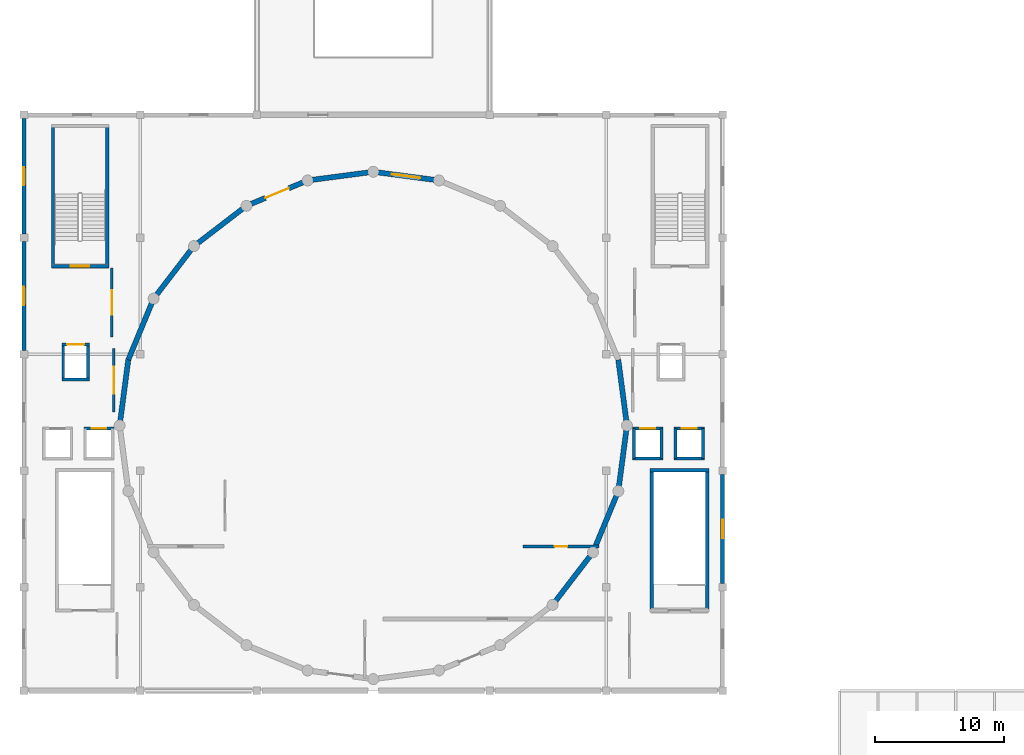
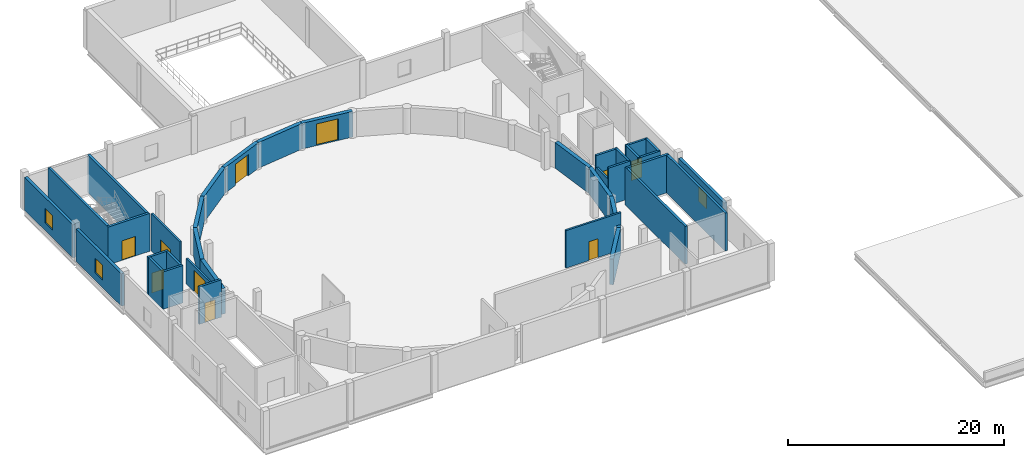
# One storey, part 5 of 10: 36 walls, 10 doors, 3 windows, 13 openings.
"""IFC4 building model written with IfcOpenShell, lengths in metres."""

from ifc_helpers import new_model, si_unit, direction, frame, frame_2d, origin, place, context, subcontext, project, spatial, rectangle, extrude, material, layer, layer_set, type_object, element, fill, save


model = new_model("IFC4")

# Units and contexts
model_context = context("Model", 3, precision=1e-05, world=origin(), true_north=direction((0.0, 1.0)))
body_context = subcontext(model_context, "Body", "Model", "MODEL_VIEW")
ifc_project = project(units=[si_unit("LENGTHUNIT", "METRE"), si_unit("AREAUNIT", "SQUARE_METRE"), si_unit("VOLUMEUNIT", "CUBIC_METRE"), si_unit("PLANEANGLEUNIT", "RADIAN"), si_unit("MASSUNIT", "GRAM", prefix="KILO")], contexts=[model_context])

# Site, building, storey
site_placement = place(None, origin())
site = spatial("IfcSite", under=ifc_project, at=site_placement, CompositionType="ELEMENT")
building_placement = place(site_placement, origin())
building = spatial("IfcBuilding", under=site, at=building_placement, Name="Marnock Terrace Opera House", CompositionType="ELEMENT")
storey_placement = place(building_placement, frame((0.0, 0.0, 23.699951171875)))
storey = spatial("IfcBuildingStorey", under=building, at=storey_placement, Name="L05", CompositionType="ELEMENT", Elevation=23.699951171875)

# Wall, opening, window
ifc_material_1 = material(Name="Basket Range sandstone ashlar masonry", Category="masonry")
ifc_layer_1 = layer(ifc_material_1, 0.31005859375)
ifc_layer_set_1 = layer_set([ifc_layer_1], Name="Basket Range sandstone ashlar masonry")
wall_type_1 = type_object("IfcWallType", Name="EW-ATTIC-310", PredefinedType="SOLIDWALL", material=ifc_layer_set_1)
wall_1_placement = place(storey_placement, frame((109.0, 48.2958984375, 0.0), z_axis=(0.0, 0.0, 1.0), x_axis=(0.0, 1.0, 0.0)))
wall_1 = element("IfcWall", 1, at=wall_1_placement, inside=storey, type_object=wall_type_1, Name="L05 Drum block E wall", PredefinedType="SOLIDWALL", context=body_context, shape_type="SweptSolid", body=[
    extrude(rectangle(XDim=8.408203125, YDim=0.31005859375, at=frame_2d((4.2041015625, 0.0))), origin(), (0.0, 0.0, 1.0), 3.64794921875),
])
opening_1_placement = place(wall_1_placement, frame((3.50390625, 0.0, 0.85009765625)))
opening_1 = element("IfcOpeningElement", 2, at=opening_1_placement, cuts=wall_1, Name="Opening WT-138", PredefinedType="OPENING", context=body_context, shape_type="SweptSolid", body=[
    extrude(rectangle(XDim=1.39990234375, YDim=1.64990234375, at=frame_2d((0.699951171875, 0.824951171875))), frame((0.0, 0.1650390625, 0.0), z_axis=(0.0, -1.0, 0.0), x_axis=(1.0, 0.0, 0.0)), (0.0, 0.0, 1.0), 0.330078125),
])
ifc_material_2 = material(Name="Double-glazed acoustic low-E laminated glass", Category="glass")
window_type = type_object("IfcWindowType", Name="WT-ATTIC-1400", PartitioningType="SINGLE_PANEL", PredefinedType="WINDOW", material=ifc_material_2)
window_1_placement = place(opening_1_placement, origin())
window_1 = element("IfcWindow", 3, at=window_1_placement, inside=storey, type_object=window_type, Name="L05 facade window EW-V1E-L05-48.1", OverallHeight=1.64990234375, OverallWidth=1.39990234375, PartitioningType="SINGLE_PANEL", PredefinedType="WINDOW", context=body_context, shape_type="SweptSolid", body=[
    extrude(rectangle(XDim=1.39990234375, YDim=1.64990234375, at=frame_2d((0.699951171875, 0.824951171875))), frame((0.0, 0.030029296875, 0.0), z_axis=(0.0, -1.0, 0.0), x_axis=(1.0, 0.0, 0.0)), (0.0, 0.0, 1.0), 0.06005859375),
])
fill(opening_1, window_1)

wall_2_placement = place(storey_placement, frame((55.0, 66.2958984375, 0.0), z_axis=(0.0, 0.0, 1.0), x_axis=(0.0, 1.0, 0.0)))
wall_2 = element("IfcWall", 4, at=wall_2_placement, inside=storey, type_object=wall_type_1, Name="L05 Drum block W wall", PredefinedType="SOLIDWALL", context=body_context, shape_type="SweptSolid", body=[
    extrude(rectangle(XDim=8.408203125, YDim=0.31005859375, at=frame_2d((4.2041015625, 0.0))), origin(), (0.0, 0.0, 1.0), 3.64794921875),
])
opening_2_placement = place(wall_2_placement, frame((3.50390625, 0.0, 0.85009765625)))
opening_2 = element("IfcOpeningElement", 5, at=opening_2_placement, cuts=wall_2, Name="Opening WT-138", PredefinedType="OPENING", context=body_context, shape_type="SweptSolid", body=[
    extrude(rectangle(XDim=1.39990234375, YDim=1.64990234375, at=frame_2d((0.699951171875, 0.824951171875))), frame((0.0, 0.1650390625, 0.0), z_axis=(0.0, -1.0, 0.0), x_axis=(1.0, 0.0, 0.0)), (0.0, 0.0, 1.0), 0.330078125),
])
window_2_placement = place(opening_2_placement, origin())
window_2 = element("IfcWindow", 6, at=window_2_placement, inside=storey, type_object=window_type, Name="L05 facade window EW-V1W-L05-66.1", OverallHeight=1.64990234375, OverallWidth=1.39990234375, PartitioningType="SINGLE_PANEL", PredefinedType="WINDOW", context=body_context, shape_type="SweptSolid", body=[
    extrude(rectangle(XDim=1.39990234375, YDim=1.64990234375, at=frame_2d((0.699951171875, 0.824951171875))), frame((0.0, 0.030029296875, 0.0), z_axis=(0.0, -1.0, 0.0), x_axis=(1.0, 0.0, 0.0)), (0.0, 0.0, 1.0), 0.06005859375),
])
fill(opening_2, window_2)

wall_3_placement = place(storey_placement, frame((55.0, 75.2958984375, 0.0), z_axis=(0.0, 0.0, 1.0), x_axis=(0.0, 1.0, 0.0)))
wall_3 = element("IfcWall", 7, at=wall_3_placement, inside=storey, type_object=wall_type_1, Name="L05 Drum block W wall", PredefinedType="SOLIDWALL", context=body_context, shape_type="SweptSolid", body=[
    extrude(rectangle(XDim=8.908203125, YDim=0.31005859375, at=frame_2d((4.4541015625, 0.0))), origin(), (0.0, 0.0, 1.0), 3.72216796875),
])
opening_3_placement = place(wall_3_placement, frame((3.75390625, 0.0, 0.85009765625)))
opening_3 = element("IfcOpeningElement", 8, at=opening_3_placement, cuts=wall_3, Name="Opening WT-138", PredefinedType="OPENING", context=body_context, shape_type="SweptSolid", body=[
    extrude(rectangle(XDim=1.39990234375, YDim=1.64990234375, at=frame_2d((0.699951171875, 0.824951171875))), frame((0.0, 0.1650390625, 0.0), z_axis=(0.0, -1.0, 0.0), x_axis=(1.0, 0.0, 0.0)), (0.0, 0.0, 1.0), 0.330078125),
])
window_3_placement = place(opening_3_placement, origin())
window_3 = element("IfcWindow", 9, at=window_3_placement, inside=storey, type_object=window_type, Name="L05 facade window EW-V1W-L05-75.1", OverallHeight=1.64990234375, OverallWidth=1.39990234375, PartitioningType="SINGLE_PANEL", PredefinedType="WINDOW", context=body_context, shape_type="SweptSolid", body=[
    extrude(rectangle(XDim=1.39990234375, YDim=1.64990234375, at=frame_2d((0.699951171875, 0.824951171875))), frame((0.0, 0.030029296875, 0.0), z_axis=(0.0, -1.0, 0.0), x_axis=(1.0, 0.0, 0.0)), (0.0, 0.0, 1.0), 0.06005859375),
])
fill(opening_3, window_3)

# Wall, opening, door
ifc_material_3 = material(Name="Rendered acoustic concrete blockwork", Category="masonry")
ifc_layer_2 = layer(ifc_material_3, 0.175048828125)
ifc_layer_set_2 = layer_set([ifc_layer_2], Name="Rendered acoustic concrete blockwork")
wall_type_2 = type_object("IfcWallType", Name="IW-FIRE-175", PredefinedType="PARTITIONING", material=ifc_layer_set_2)
wall_4_placement = place(storey_placement, frame((61.949951171875, 61.550048828125, 0.0), z_axis=(0.0, 0.0, 1.0), x_axis=(0.0, 1.0, 0.0)))
wall_4 = element("IfcWall", 10, at=wall_4_placement, inside=storey, type_object=wall_type_2, Name="L05 Drum Perimeter Acoustic Reverberation Chamber West acoustic partition wall", PredefinedType="PARTITIONING", context=body_context, shape_type="SweptSolid", body=[
    extrude(rectangle(XDim=4.89990234375, YDim=0.175048828125, at=frame_2d((2.449951171875, 0.0))), origin(), (0.0, 0.0, 1.0), 2.8701171875),
])
opening_4_placement = place(wall_4_placement, frame((1.39990234375, 0.0, 0.0)))
opening_4 = element("IfcOpeningElement", 11, at=opening_4_placement, cuts=wall_4, Name="Opening D-L05-03", PredefinedType="OPENING", context=body_context, shape_type="SweptSolid", body=[
    extrude(rectangle(XDim=2.10009765625, YDim=2.419921875, at=frame_2d((1.050048828125, 1.2099609375))), frame((0.0, 0.097412109375, 0.0), z_axis=(0.0, -1.0, 0.0), x_axis=(1.0, 0.0, 0.0)), (0.0, 0.0, 1.0), 0.195068359375),
])
ifc_material_4 = material(Name="Solid-core Tasmanian oak acoustic door leaf")
door_type_1 = type_object("IfcDoorType", Name="DT-REHEARS-2100", OperationType="NOTDEFINED", PredefinedType="DOOR", material=ifc_material_4)
door_1_placement = place(opening_4_placement, origin())
door_1 = element("IfcDoor", 12, at=door_1_placement, inside=storey, type_object=door_type_1, Name="L05 Drum Perimeter Acoustic Reverberation Chamber West entrance door", OperationType="DOUBLE_DOOR_SINGLE_SWING", OverallHeight=2.419921875, OverallWidth=2.10009765625, PredefinedType="DOOR", context=body_context, shape_type="SweptSolid", body=[
    extrude(rectangle(XDim=2.10009765625, YDim=2.419921875, at=frame_2d((1.050048828125, 1.2099609375))), frame((0.0, 0.02490234375, 0.0), z_axis=(0.0, -1.0, 0.0), x_axis=(1.0, 0.0, 0.0)), (0.0, 0.0, 1.0), 0.050048828125),
])
fill(opening_4, door_1)

ifc_layer_3 = layer(ifc_material_3, 0.195068359375)
ifc_layer_set_3 = layer_set([ifc_layer_3], Name="Rendered acoustic concrete blockwork")
wall_type_3 = type_object("IfcWallType", Name="IW-FIRE-195", PredefinedType="PARTITIONING", material=ifc_layer_set_3)
wall_5_placement = place(storey_placement, frame((61.800048828125, 67.35009765625, 0.0), z_axis=(0.0, 0.0, 1.0), x_axis=(0.0, 1.0, 0.0)))
wall_5 = element("IfcWall", 13, at=wall_5_placement, inside=storey, type_object=wall_type_3, Name="L05 C3 fire-rated lift and stair lobby wall", PredefinedType="PARTITIONING", context=body_context, shape_type="SweptSolid", body=[
    extrude(rectangle(XDim=5.2998046875, YDim=0.195068359375, at=frame_2d((2.64990234375, 0.0))), origin(), (0.0, 0.0, 1.0), 4.22998046875),
])
opening_5_placement = place(wall_5_placement, frame((1.699951171875, 0.0, 0.0)))
opening_5 = element("IfcOpeningElement", 14, at=opening_5_placement, cuts=wall_5, Name="Opening FD-C3-L05", PredefinedType="OPENING", context=body_context, shape_type="SweptSolid", body=[
    extrude(rectangle(XDim=1.89990234375, YDim=2.300048828125, at=frame_2d((0.949951171875, 1.14990234375))), frame((0.0, 0.107421875, 0.0), z_axis=(0.0, -1.0, 0.0), x_axis=(1.0, 0.0, 0.0)), (0.0, 0.0, 1.0), 0.215087890625),
])
ifc_material_5 = material(Name="Fire-rated acoustic timber-core door assembly", Category="wood")
door_type_2 = type_object("IfcDoorType", Name="DT-LOBBY-1900", OperationType="NOTDEFINED", PredefinedType="DOOR", material=ifc_material_5)
door_2_placement = place(opening_5_placement, origin())
door_2 = element("IfcDoor", 15, at=door_2_placement, inside=storey, type_object=door_type_2, Name="L05 C3 lobby self-closing smoke door", OperationType="SINGLE_SWING_RIGHT", OverallHeight=2.300048828125, OverallWidth=1.89990234375, PredefinedType="DOOR", context=body_context, shape_type="SweptSolid", body=[
    extrude(rectangle(XDim=1.89990234375, YDim=2.300048828125, at=frame_2d((0.949951171875, 1.14990234375))), frame((0.0, 0.02490234375, 0.0), z_axis=(0.0, -1.0, 0.0), x_axis=(1.0, 0.0, 0.0)), (0.0, 0.0, 1.0), 0.050048828125),
])
fill(opening_5, door_2)

ifc_material_6 = material(Name="Moisture-resistant tiled service duct framing")
ifc_layer_4 = layer(ifc_material_6, 0.205078125)
ifc_layer_set_4 = layer_set([ifc_layer_4], Name="Moisture-resistant tiled service duct framing")
wall_type_4 = type_object("IfcWallType", Name="IW-PLUMB-205", PredefinedType="PLUMBINGWALL", material=ifc_layer_set_4)
wall_6_placement = place(storey_placement, frame((93.550048828125, 51.14990234375, 0.0), z_axis=(0.0, 0.0, 1.0), x_axis=(1.0, 0.0, 0.0)))
wall_6 = element("IfcWall", 16, at=wall_6_placement, inside=storey, type_object=wall_type_4, Name="L05 Staff WC L05 Drum acoustic partition wall", PredefinedType="PLUMBINGWALL", context=body_context, shape_type="SweptSolid", body=[
    extrude(rectangle(XDim=5.89990234375, YDim=0.205078125, at=frame_2d((2.949951171875, 0.0))), origin(), (0.0, 0.0, 1.0), 4.22998046875),
])
opening_6_placement = place(wall_6_placement, frame((2.4599609375, 0.0, 0.0)))
opening_6 = element("IfcOpeningElement", 17, at=opening_6_placement, cuts=wall_6, Name="Opening D-L05-10", PredefinedType="OPENING", context=body_context, shape_type="SweptSolid", body=[
    extrude(rectangle(XDim=0.97998046875, YDim=2.139892578125, at=frame_2d((0.489990234375, 1.06982421875))), frame((0.0, 0.112548828125, 0.0), z_axis=(0.0, -1.0, 0.0), x_axis=(1.0, 0.0, 0.0)), (0.0, 0.0, 1.0), 0.22509765625),
])
door_type_3 = type_object("IfcDoorType", Name="DT-WC-980", OperationType="NOTDEFINED", PredefinedType="DOOR", material=ifc_material_4)
door_3_placement = place(opening_6_placement, origin())
door_3 = element("IfcDoor", 18, at=door_3_placement, inside=storey, type_object=door_type_3, Name="L05 Staff WC L05 Drum entrance door", OperationType="SINGLE_SWING_LEFT", OverallHeight=2.139892578125, OverallWidth=0.97998046875, PredefinedType="DOOR", context=body_context, shape_type="SweptSolid", body=[
    extrude(rectangle(XDim=0.97998046875, YDim=2.139892578125, at=frame_2d((0.489990234375, 1.06982421875))), frame((0.0, 0.02490234375, 0.0), z_axis=(0.0, -1.0, 0.0), x_axis=(1.0, 0.0, 0.0)), (0.0, 0.0, 1.0), 0.050048828125),
])
fill(opening_6, door_3)

ifc_layer_5 = layer(ifc_material_3, 0.22509765625)
ifc_layer_set_5 = layer_set([ifc_layer_5], Name="Rendered acoustic concrete blockwork")
wall_type_5 = type_object("IfcWallType", Name="IW-SHAFT-225", PredefinedType="SOLIDWALL", material=ifc_layer_set_5)
wall_7_placement = place(storey_placement, frame((59.62744140625, 60.260009765625, 0.0), z_axis=(0.0, 0.0, 1.0), x_axis=(1.0, 0.0, 0.0)))
wall_7 = element("IfcWall", 19, at=wall_7_placement, inside=storey, type_object=wall_type_5, Name="L05 Lift PL-02 front shaft wall", PredefinedType="SOLIDWALL", context=body_context, shape_type="SweptSolid", body=[
    extrude(rectangle(XDim=2.344970703125, YDim=0.22509765625, at=frame_2d((1.17236328125, 0.0))), origin(), (0.0, 0.0, 1.0), 4.22998046875),
])
opening_7_placement = place(wall_7_placement, frame((0.597412109375, 0.0, 0.0)))
opening_7 = element("IfcOpeningElement", 20, at=opening_7_placement, cuts=wall_7, Name="Opening LD-PL-02-L05", PredefinedType="OPENING", context=body_context, shape_type="SweptSolid", body=[
    extrude(rectangle(XDim=1.14990234375, YDim=2.199951171875, at=frame_2d((0.574951171875, 1.10009765625))), frame((0.0, 0.12255859375, 0.0), z_axis=(0.0, -1.0, 0.0), x_axis=(1.0, 0.0, 0.0)), (0.0, 0.0, 1.0), 0.2451171875),
])
ifc_material_7 = material(Name="Brushed stainless steel landing door assembly", Category="steel")
door_type_4 = type_object("IfcDoorType", Name="DT-LIFT-1150", OperationType="NOTDEFINED", PredefinedType="DOOR", material=ifc_material_7)
door_4_placement = place(opening_7_placement, origin())
door_4 = element("IfcDoor", 21, at=door_4_placement, inside=storey, type_object=door_type_4, Name="L05 Lift PL-02 sliding landing door", OperationType="DOUBLE_DOOR_SLIDING", OverallHeight=2.199951171875, OverallWidth=1.14990234375, PredefinedType="DOOR", context=body_context, shape_type="SweptSolid", body=[
    extrude(rectangle(XDim=1.14990234375, YDim=2.199951171875, at=frame_2d((0.574951171875, 1.10009765625))), frame((0.0, 0.02490234375, 0.0), z_axis=(0.0, -1.0, 0.0), x_axis=(1.0, 0.0, 0.0)), (0.0, 0.0, 1.0), 0.050048828125),
])
fill(opening_7, door_4)

wall_8_placement = place(storey_placement, frame((102.027587890625, 60.260009765625, 0.0), z_axis=(0.0, 0.0, 1.0), x_axis=(1.0, 0.0, 0.0)))
wall_8 = element("IfcWall", 22, at=wall_8_placement, inside=storey, type_object=wall_type_5, Name="L05 Lift PL-03 front shaft wall", PredefinedType="SOLIDWALL", context=body_context, shape_type="SweptSolid", body=[
    extrude(rectangle(XDim=2.344970703125, YDim=0.22509765625, at=frame_2d((1.17236328125, 0.0))), origin(), (0.0, 0.0, 1.0), 4.22998046875),
])
opening_8_placement = place(wall_8_placement, frame((0.597412109375, 0.0, 0.0)))
opening_8 = element("IfcOpeningElement", 23, at=opening_8_placement, cuts=wall_8, Name="Opening LD-PL-03-L05", PredefinedType="OPENING", context=body_context, shape_type="SweptSolid", body=[
    extrude(rectangle(XDim=1.14990234375, YDim=2.199951171875, at=frame_2d((0.574951171875, 1.10009765625))), frame((0.0, 0.12255859375, 0.0), z_axis=(0.0, -1.0, 0.0), x_axis=(1.0, 0.0, 0.0)), (0.0, 0.0, 1.0), 0.2451171875),
])
door_5_placement = place(opening_8_placement, origin())
door_5 = element("IfcDoor", 24, at=door_5_placement, inside=storey, type_object=door_type_4, Name="L05 Lift PL-03 sliding landing door", OperationType="DOUBLE_DOOR_SLIDING", OverallHeight=2.199951171875, OverallWidth=1.14990234375, PredefinedType="DOOR", context=body_context, shape_type="SweptSolid", body=[
    extrude(rectangle(XDim=1.14990234375, YDim=2.199951171875, at=frame_2d((0.574951171875, 1.10009765625))), frame((0.0, 0.02490234375, 0.0), z_axis=(0.0, -1.0, 0.0), x_axis=(1.0, 0.0, 0.0)), (0.0, 0.0, 1.0), 0.050048828125),
])
fill(opening_8, door_5)

# Walls
wall_9_placement = place(storey_placement, frame((102.027587890625, 57.93994140625, 0.0), z_axis=(0.0, 0.0, 1.0), x_axis=(1.0, 0.0, 0.0)))
element("IfcWall", 25, at=wall_9_placement, inside=storey, type_object=wall_type_5, Name="L05 Lift PL-03 rear shaft wall", PredefinedType="SOLIDWALL", context=body_context, shape_type="SweptSolid", body=[
    extrude(rectangle(XDim=2.344970703125, YDim=0.22509765625, at=frame_2d((1.17236328125, 0.0))), origin(), (0.0, 0.0, 1.0), 4.22998046875),
])
wall_10_placement = place(storey_placement, frame((102.139892578125, 57.93994140625, 0.0), z_axis=(0.0, 0.0, 1.0), x_axis=(0.0, 1.0, 0.0)))
element("IfcWall", 26, at=wall_10_placement, inside=storey, type_object=wall_type_5, Name="L05 Lift PL-03 west shaft wall", PredefinedType="SOLIDWALL", context=body_context, shape_type="SweptSolid", body=[
    extrude(rectangle(XDim=2.320068359375, YDim=0.22509765625, at=frame_2d((1.16015625, 0.0))), origin(), (0.0, 0.0, 1.0), 2.8701171875),
])
wall_11_placement = place(storey_placement, frame((104.260009765625, 57.93994140625, 0.0), z_axis=(0.0, 0.0, 1.0), x_axis=(0.0, 1.0, 0.0)))
element("IfcWall", 27, at=wall_11_placement, inside=storey, type_object=wall_type_5, Name="L05 Lift PL-03 east shaft wall", PredefinedType="SOLIDWALL", context=body_context, shape_type="SweptSolid", body=[
    extrude(rectangle(XDim=2.320068359375, YDim=0.22509765625, at=frame_2d((1.16015625, 0.0))), origin(), (0.0, 0.0, 1.0), 4.22998046875),
])

# Wall, opening, door
wall_12_placement = place(storey_placement, frame((105.2275390625, 60.260009765625, 0.0), z_axis=(0.0, 0.0, 1.0), x_axis=(1.0, 0.0, 0.0)))
wall_12 = element("IfcWall", 28, at=wall_12_placement, inside=storey, type_object=wall_type_5, Name="L05 Lift PL-04 front shaft wall", PredefinedType="SOLIDWALL", context=body_context, shape_type="SweptSolid", body=[
    extrude(rectangle(XDim=2.344970703125, YDim=0.22509765625, at=frame_2d((1.17236328125, 0.0))), origin(), (0.0, 0.0, 1.0), 4.22998046875),
])
opening_9_placement = place(wall_12_placement, frame((0.597412109375, 0.0, 0.0)))
opening_9 = element("IfcOpeningElement", 29, at=opening_9_placement, cuts=wall_12, Name="Opening LD-PL-04-L05", PredefinedType="OPENING", context=body_context, shape_type="SweptSolid", body=[
    extrude(rectangle(XDim=1.14990234375, YDim=2.199951171875, at=frame_2d((0.574951171875, 1.10009765625))), frame((0.0, 0.12255859375, 0.0), z_axis=(0.0, -1.0, 0.0), x_axis=(1.0, 0.0, 0.0)), (0.0, 0.0, 1.0), 0.2451171875),
])
door_6_placement = place(opening_9_placement, origin())
door_6 = element("IfcDoor", 30, at=door_6_placement, inside=storey, type_object=door_type_4, Name="L05 Lift PL-04 sliding landing door", OperationType="DOUBLE_DOOR_SLIDING", OverallHeight=2.199951171875, OverallWidth=1.14990234375, PredefinedType="DOOR", context=body_context, shape_type="SweptSolid", body=[
    extrude(rectangle(XDim=1.14990234375, YDim=2.199951171875, at=frame_2d((0.574951171875, 1.10009765625))), frame((0.0, 0.02490234375, 0.0), z_axis=(0.0, -1.0, 0.0), x_axis=(1.0, 0.0, 0.0)), (0.0, 0.0, 1.0), 0.050048828125),
])
fill(opening_9, door_6)

# Walls
wall_13_placement = place(storey_placement, frame((105.2275390625, 57.93994140625, 0.0), z_axis=(0.0, 0.0, 1.0), x_axis=(1.0, 0.0, 0.0)))
element("IfcWall", 31, at=wall_13_placement, inside=storey, type_object=wall_type_5, Name="L05 Lift PL-04 rear shaft wall", PredefinedType="SOLIDWALL", context=body_context, shape_type="SweptSolid", body=[
    extrude(rectangle(XDim=2.344970703125, YDim=0.22509765625, at=frame_2d((1.17236328125, 0.0))), origin(), (0.0, 0.0, 1.0), 4.22998046875),
])
for number, where, z_axis, x_axis, name in (
    (32, (105.340087890625, 57.93994140625, 0.0), (0.0, 0.0, 1.0), (0.0, 1.0, 0.0), "L05 Lift PL-04 west shaft wall"),
    (33, (107.4599609375, 57.93994140625, 0.0), (0.0, 0.0, 1.0), (0.0, 1.0, 0.0), "L05 Lift PL-04 east shaft wall"),
):
    element("IfcWall", number, at=place(storey_placement, frame(where, z_axis=z_axis, x_axis=x_axis)), inside=storey, type_object=wall_type_5, Name=name, PredefinedType="SOLIDWALL", context=body_context, shape_type="SweptSolid", body=[
        extrude(rectangle(XDim=2.320068359375, YDim=0.22509765625, at=frame_2d((1.16015625, 0.0))), origin(), (0.0, 0.0, 1.0), 4.22998046875),
    ])

# Wall, opening, door
wall_14_placement = place(storey_placement, frame((57.927490234375, 66.760009765625, 0.0), z_axis=(0.0, 0.0, 1.0), x_axis=(1.0, 0.0, 0.0)))
wall_14 = element("IfcWall", 34, at=wall_14_placement, inside=storey, type_object=wall_type_5, Name="L05 Lift EL-01 front shaft wall", PredefinedType="SOLIDWALL", context=body_context, shape_type="SweptSolid", body=[
    extrude(rectangle(XDim=2.14501953125, YDim=0.22509765625, at=frame_2d((1.072509765625, 0.0))), origin(), (0.0, 0.0, 1.0), 4.22998046875),
])
opening_10_placement = place(wall_14_placement, frame((0.422607421875, 0.0, 0.0)))
opening_10 = element("IfcOpeningElement", 35, at=opening_10_placement, cuts=wall_14, Name="Opening LD-EL-01-L05", PredefinedType="OPENING", context=body_context, shape_type="SweptSolid", body=[
    extrude(rectangle(XDim=1.300048828125, YDim=2.25, at=frame_2d((0.64990234375, 1.125))), frame((0.0, 0.12255859375, 0.0), z_axis=(0.0, -1.0, 0.0), x_axis=(1.0, 0.0, 0.0)), (0.0, 0.0, 1.0), 0.2451171875),
])
door_type_5 = type_object("IfcDoorType", Name="DT-LIFT-1300", OperationType="NOTDEFINED", PredefinedType="DOOR", material=ifc_material_7)
door_7_placement = place(opening_10_placement, origin())
door_7 = element("IfcDoor", 36, at=door_7_placement, inside=storey, type_object=door_type_5, Name="L05 Lift EL-01 sliding landing door", OperationType="DOUBLE_DOOR_SLIDING", OverallHeight=2.25, OverallWidth=1.300048828125, PredefinedType="DOOR", context=body_context, shape_type="SweptSolid", body=[
    extrude(rectangle(XDim=1.300048828125, YDim=2.25, at=frame_2d((0.64990234375, 1.125))), frame((0.0, 0.02490234375, 0.0), z_axis=(0.0, -1.0, 0.0), x_axis=(1.0, 0.0, 0.0)), (0.0, 0.0, 1.0), 0.050048828125),
])
fill(opening_10, door_7)

# Walls
wall_15_placement = place(storey_placement, frame((57.927490234375, 64.0400390625, 0.0), z_axis=(0.0, 0.0, 1.0), x_axis=(1.0, 0.0, 0.0)))
element("IfcWall", 37, at=wall_15_placement, inside=storey, type_object=wall_type_5, Name="L05 Lift EL-01 rear shaft wall", PredefinedType="SOLIDWALL", context=body_context, shape_type="SweptSolid", body=[
    extrude(rectangle(XDim=2.14501953125, YDim=0.22509765625, at=frame_2d((1.072509765625, 0.0))), origin(), (0.0, 0.0, 1.0), 4.22998046875),
])
for number, where, z_axis, x_axis, name in (
    (38, (58.0400390625, 64.0400390625, 0.0), (0.0, 0.0, 1.0), (0.0, 1.0, 0.0), "L05 Lift EL-01 west shaft wall"),
    (39, (59.9599609375, 64.0400390625, 0.0), (0.0, 0.0, 1.0), (0.0, 1.0, 0.0), "L05 Lift EL-01 east shaft wall"),
):
    element("IfcWall", number, at=place(storey_placement, frame(where, z_axis=z_axis, x_axis=x_axis)), inside=storey, type_object=wall_type_5, Name=name, PredefinedType="SOLIDWALL", context=body_context, shape_type="SweptSolid", body=[
        extrude(rectangle(XDim=2.719970703125, YDim=0.22509765625, at=frame_2d((1.35986328125, 0.0))), origin(), (0.0, 0.0, 1.0), 4.22998046875),
    ])
ifc_material_8 = material(Name="Concrete N40 (f'c = 40 MPa)", Category="concrete")
ifc_layer_6 = layer(ifc_material_8, 0.25)
ifc_layer_set_6 = layer_set([ifc_layer_6], Name="Concrete N40 (f'c = 40 MPa)")
wall_type_6 = type_object("IfcWallType", Name="SW-CORE-250", PredefinedType="SHEAR", material=ifc_layer_set_6)
wall_16_placement = place(storey_placement, frame((103.39501953125, 57.0400390625, 0.0), z_axis=(0.0, 0.0, 1.0), x_axis=(1.0, 0.0, 0.0)))
element("IfcWall", 40, at=wall_16_placement, inside=storey, type_object=wall_type_6, Name="L05 Core C2 FRL 120/120/120 shear wall N", PredefinedType="SHEAR", context=body_context, shape_type="SweptSolid", body=[
    extrude(rectangle(XDim=4.530029296875, YDim=0.25, at=frame_2d((2.26513671875, 0.0))), origin(), (0.0, 0.0, 1.0), 4.280029296875),
])
for number, where, z_axis, x_axis, name in (
    (41, (103.52001953125, 46.074951171875, 0.0), (0.0, 0.0, 1.0), (0.0, 1.0, 0.0), "L05 Core C2 FRL 120/120/120 shear wall W"),
    (42, (107.800048828125, 46.074951171875, 0.0), (0.0, 0.0, 1.0), (0.0, 1.0, 0.0), "L05 Core C2 FRL 120/120/120 shear wall E"),
):
    element("IfcWall", number, at=place(storey_placement, frame(where, z_axis=z_axis, x_axis=x_axis)), inside=storey, type_object=wall_type_6, Name=name, PredefinedType="SHEAR", context=body_context, shape_type="SweptSolid", body=[
        extrude(rectangle(XDim=11.090087890625, YDim=0.25, at=frame_2d((5.544921875, 0.0))), origin(), (0.0, 0.0, 1.0), 4.280029296875),
    ])

# Wall, opening, door
wall_17_placement = place(storey_placement, frame((57.114990234375, 72.800048828125, 0.0), z_axis=(0.0, 0.0, 1.0), x_axis=(1.0, 0.0, 0.0)))
wall_17 = element("IfcWall", 43, at=wall_17_placement, inside=storey, type_object=wall_type_6, Name="L05 Core C3 FRL 120/120/120 shear wall S", PredefinedType="SHEAR", context=body_context, shape_type="SweptSolid", body=[
    extrude(rectangle(XDim=4.449951171875, YDim=0.25, at=frame_2d((2.22509765625, 0.0))), origin(), (0.0, 0.0, 1.0), 4.280029296875),
])
opening_11_placement = place(wall_17_placement, frame((1.5, 0.0, 0.0)))
opening_11 = element("IfcOpeningElement", 44, at=opening_11_placement, cuts=wall_17, Name="Opening SD-C3-L05", PredefinedType="OPENING", context=body_context, shape_type="SweptSolid", body=[
    extrude(rectangle(XDim=1.449951171875, YDim=2.199951171875, at=frame_2d((0.72509765625, 1.10009765625))), frame((0.0, 0.135009765625, 0.0), z_axis=(0.0, -1.0, 0.0), x_axis=(1.0, 0.0, 0.0)), (0.0, 0.0, 1.0), 0.27001953125),
])
door_type_6 = type_object("IfcDoorType", Name="DT-STAIR-1450", OperationType="NOTDEFINED", PredefinedType="DOOR", material=ifc_material_5)
door_8_placement = place(opening_11_placement, origin())
door_8 = element("IfcDoor", 45, at=door_8_placement, inside=storey, type_object=door_type_6, Name="L05 Stair ST-03 fire-isolated exit door", OperationType="SINGLE_SWING_LEFT", OverallHeight=2.199951171875, OverallWidth=1.449951171875, PredefinedType="DOOR", context=body_context, shape_type="SweptSolid", body=[
    extrude(rectangle(XDim=1.449951171875, YDim=2.199951171875, at=frame_2d((0.72509765625, 1.10009765625))), frame((0.0, 0.02490234375, 0.0), z_axis=(0.0, -1.0, 0.0), x_axis=(1.0, 0.0, 0.0)), (0.0, 0.0, 1.0), 0.050048828125),
])
fill(opening_11, door_8)

# Walls
for number, where, z_axis, x_axis, name in (
    (46, (57.239990234375, 72.675048828125, 0.0), (0.0, 0.0, 1.0), (0.0, 1.0, 0.0), "L05 Core C3 FRL 120/120/120 shear wall W"),
    (47, (61.43994140625, 72.675048828125, 0.0), (0.0, 0.0, 1.0), (0.0, 1.0, 0.0), "L05 Core C3 FRL 120/120/120 shear wall E"),
):
    element("IfcWall", number, at=place(storey_placement, frame(where, z_axis=z_axis, x_axis=x_axis)), inside=storey, type_object=wall_type_6, Name=name, PredefinedType="SHEAR", context=body_context, shape_type="SweptSolid", body=[
        extrude(rectangle(XDim=11.08984375, YDim=0.25, at=frame_2d((5.544921875, 0.0))), origin(), (0.0, 0.0, 1.0), 4.280029296875),
    ])
ifc_material_9 = material(Name="Concrete N50 (f'c = 50 MPa)", Category="concrete")
ifc_layer_7 = layer(ifc_material_9, 0.39990234375)
ifc_layer_set_7 = layer_set([ifc_layer_7], Name="Concrete N50 (f'c = 50 MPa)")
wall_type_7 = type_object("IfcWallType", Name="SW-DRUM-400", PredefinedType="SHEAR", material=ifc_layer_set_7)
wall_18_placement = place(storey_placement, frame((101.60009765625, 60.5, 0.0), z_axis=(0.0, 0.0, 1.0), x_axis=(-0.130591512704, 0.99143625958, 0.0)))
element("IfcWall", 48, at=wall_18_placement, inside=storey, type_object=wall_type_7, Name="L05 cylindrical auditorium drum shear wall 1", PredefinedType="SHEAR", context=body_context, shape_type="SweptSolid", body=[
    extrude(rectangle(XDim=5.11669921875, YDim=0.39990234375, at=frame_2d((2.558349609375, 0.0))), origin(), (0.0, 0.0, 1.0), 2.900146484375),
])

# Wall, opening, door
wall_19_placement = place(storey_placement, frame((87.072998046875, 79.431884765625, 0.0), z_axis=(0.0, 0.0, 1.0), x_axis=(-0.99143625958, 0.130591512704, 0.0)))
wall_19 = element("IfcWall", 49, at=wall_19_placement, inside=storey, type_object=wall_type_7, Name="L05 cylindrical auditorium drum shear wall 6", PredefinedType="SHEAR", context=body_context, shape_type="SweptSolid", body=[
    extrude(rectangle(XDim=5.11669921875, YDim=0.39990234375, at=frame_2d((2.558349609375, 0.0))), origin(), (0.0, 0.0, 1.0), 2.900146484375),
])
opening_12_placement = place(wall_19_placement, frame((1.45849609375, 0.0, 0.0)))
opening_12 = element("IfcOpeningElement", 50, at=opening_12_placement, cuts=wall_19, Name="Opening AD-L05-05", PredefinedType="OPENING", context=body_context, shape_type="SweptSolid", body=[
    extrude(rectangle(XDim=2.199951171875, YDim=2.449951171875, at=frame_2d((1.10009765625, 1.22509765625))), frame((0.0, 0.2099609375, 0.0), z_axis=(0.0, -1.0, 0.0), x_axis=(1.0, 0.0, 0.0)), (0.0, 0.0, 1.0), 0.419921875),
])
door_type_7 = type_object("IfcDoorType", Name="DT-AUD-2200", OperationType="NOTDEFINED", PredefinedType="DOOR", material=ifc_material_4)
door_9_placement = place(opening_12_placement, origin())
door_9 = element("IfcDoor", 51, at=door_9_placement, inside=storey, type_object=door_type_7, Name="L05 Auditorium sound-lock double door 5", OperationType="DOUBLE_DOOR_SINGLE_SWING", OverallHeight=2.449951171875, OverallWidth=2.199951171875, PredefinedType="DOOR", context=body_context, shape_type="SweptSolid", body=[
    extrude(rectangle(XDim=2.199951171875, YDim=2.449951171875, at=frame_2d((1.10009765625, 1.22509765625))), frame((0.0, 0.02490234375, 0.0), z_axis=(0.0, -1.0, 0.0), x_axis=(1.0, 0.0, 0.0)), (0.0, 0.0, 1.0), 0.050048828125),
])
fill(opening_12, door_9)

# Wall
wall_20_placement = place(storey_placement, frame((82.0, 80.10009765625, 0.0), z_axis=(0.0, 0.0, 1.0), x_axis=(-0.99143625958, -0.130591512704, 0.0)))
element("IfcWall", 52, at=wall_20_placement, inside=storey, type_object=wall_type_7, Name="L05 cylindrical auditorium drum shear wall 7", PredefinedType="SHEAR", context=body_context, shape_type="SweptSolid", body=[
    extrude(rectangle(XDim=5.11669921875, YDim=0.39990234375, at=frame_2d((2.558349609375, 0.0))), origin(), (0.0, 0.0, 1.0), 2.900146484375),
])

# Wall, opening, door
wall_21_placement = place(storey_placement, frame((76.927001953125, 79.431884765625, 0.0), z_axis=(0.0, 0.0, 1.0), x_axis=(-0.923896452635, -0.382642581018, 0.0)))
wall_21 = element("IfcWall", 53, at=wall_21_placement, inside=storey, type_object=wall_type_7, Name="L05 cylindrical auditorium drum shear wall 8", PredefinedType="SHEAR", context=body_context, shape_type="SweptSolid", body=[
    extrude(rectangle(XDim=5.116455078125, YDim=0.39990234375, at=frame_2d((2.55810546875, 0.0))), origin(), (0.0, 0.0, 1.0), 2.900146484375),
])
opening_13_placement = place(wall_21_placement, frame((1.583251953125, 0.0, 0.0)))
opening_13 = element("IfcOpeningElement", 54, at=opening_13_placement, cuts=wall_21, Name="Opening AD-L05-07", PredefinedType="OPENING", context=body_context, shape_type="SweptSolid", body=[
    extrude(rectangle(XDim=1.949951171875, YDim=2.39990234375, at=frame_2d((0.97509765625, 1.199951171875))), frame((0.0, 0.2099609375, 0.0), z_axis=(0.0, -1.0, 0.0), x_axis=(1.0, 0.0, 0.0)), (0.0, 0.0, 1.0), 0.419921875),
])
door_type_8 = type_object("IfcDoorType", Name="DT-AUD-1950", OperationType="NOTDEFINED", PredefinedType="DOOR", material=ifc_material_4)
door_10_placement = place(opening_13_placement, origin())
door_10 = element("IfcDoor", 55, at=door_10_placement, inside=storey, type_object=door_type_8, Name="L05 Auditorium sound-lock double door 7", OperationType="DOUBLE_DOOR_SINGLE_SWING", OverallHeight=2.39990234375, OverallWidth=1.949951171875, PredefinedType="DOOR", context=body_context, shape_type="SweptSolid", body=[
    extrude(rectangle(XDim=1.949951171875, YDim=2.39990234375, at=frame_2d((0.97509765625, 1.199951171875))), frame((0.0, 0.02490234375, 0.0), z_axis=(0.0, -1.0, 0.0), x_axis=(1.0, 0.0, 0.0)), (0.0, 0.0, 1.0), 0.050048828125),
])
fill(opening_13, door_10)

# Walls
for number, where, z_axis, x_axis, name in (
    (56, (72.199951171875, 77.47412109375, 0.0), (0.0, 0.0, 1.0), (-0.793279847731, -0.608857194409, 0.0), "L05 cylindrical auditorium drum shear wall 9"),
    (57, (68.14111328125, 74.35888671875, 0.0), (0.0, 0.0, 1.0), (-0.608857194409, -0.793279847731, 0.0), "L05 cylindrical auditorium drum shear wall 10"),
    (58, (65.02587890625, 70.300048828125, 0.0), (0.0, 0.0, 1.0), (-0.382642581018, -0.923896452635, 0.0), "L05 cylindrical auditorium drum shear wall 11"),
):
    element("IfcWall", number, at=place(storey_placement, frame(where, z_axis=z_axis, x_axis=x_axis)), inside=storey, type_object=wall_type_7, Name=name, PredefinedType="SHEAR", context=body_context, shape_type="SweptSolid", body=[
        extrude(rectangle(XDim=5.116455078125, YDim=0.39990234375, at=frame_2d((2.55810546875, 0.0))), origin(), (0.0, 0.0, 1.0), 2.900146484375),
    ])
wall_22_placement = place(storey_placement, frame((63.068115234375, 65.572998046875, 0.0), z_axis=(0.0, 0.0, 1.0), x_axis=(-0.130591512704, -0.99143625958, 0.0)))
element("IfcWall", 59, at=wall_22_placement, inside=storey, type_object=wall_type_7, Name="L05 cylindrical auditorium drum shear wall 12", PredefinedType="SHEAR", context=body_context, shape_type="SweptSolid", body=[
    extrude(rectangle(XDim=5.11669921875, YDim=0.39990234375, at=frame_2d((2.558349609375, 0.0))), origin(), (0.0, 0.0, 1.0), 2.900146484375),
])
for number, where, z_axis, x_axis, name in (
    (60, (95.85888671875, 46.64111328125, 0.0), (0.0, 0.0, 1.0), (0.608857194409, 0.793279847731, 0.0), "L05 cylindrical auditorium drum shear wall 22"),
    (61, (98.97412109375, 50.699951171875, 0.0), (0.0, 0.0, 1.0), (0.382642581018, 0.923896452635, 0.0), "L05 cylindrical auditorium drum shear wall 23"),
):
    element("IfcWall", number, at=place(storey_placement, frame(where, z_axis=z_axis, x_axis=x_axis)), inside=storey, type_object=wall_type_7, Name=name, PredefinedType="SHEAR", context=body_context, shape_type="SweptSolid", body=[
        extrude(rectangle(XDim=5.116455078125, YDim=0.39990234375, at=frame_2d((2.55810546875, 0.0))), origin(), (0.0, 0.0, 1.0), 2.900146484375),
    ])
wall_23_placement = place(storey_placement, frame((100.931884765625, 55.427001953125, 0.0), z_axis=(0.0, 0.0, 1.0), x_axis=(0.130591512704, 0.99143625958, 0.0)))
element("IfcWall", 62, at=wall_23_placement, inside=storey, type_object=wall_type_7, Name="L05 cylindrical auditorium drum shear wall 24", PredefinedType="SHEAR", context=body_context, shape_type="SweptSolid", body=[
    extrude(rectangle(XDim=5.11669921875, YDim=0.39990234375, at=frame_2d((2.558349609375, 0.0))), origin(), (0.0, 0.0, 1.0), 2.900146484375),
])

save(model, "model.ifc")
